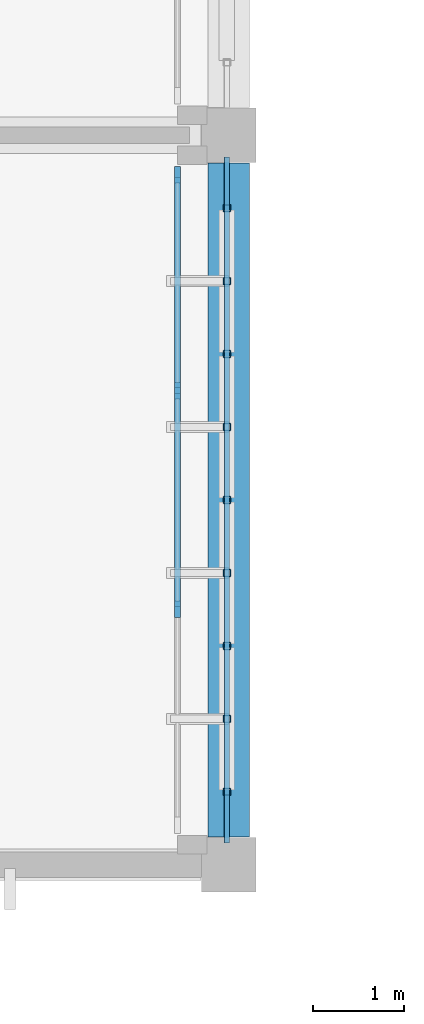
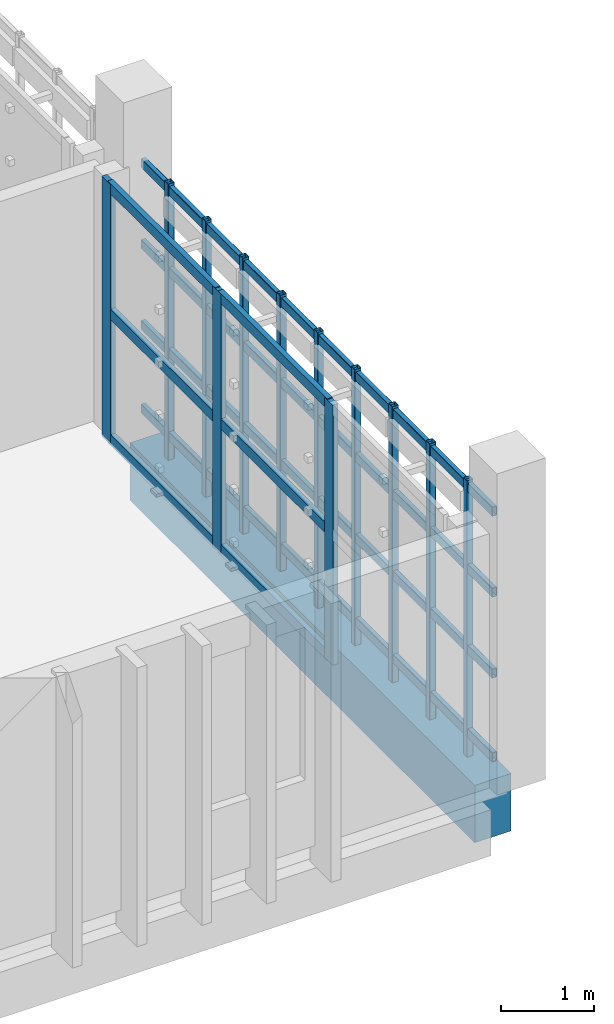
# One storey, part 67 of 137: 22 members, 1 beam, 1 element without a shape of its own.
"""IFC4 building model written with IfcOpenShell, lengths in metres."""

from ifc_helpers import new_model, si_unit, direction, frame, origin, origin_2d, place, context, subcontext, project, spatial, rectangle, hollow_rectangle, extrude, material, layer, layer_set, material_profile, profile_set, type_object, element, aggregate, save


model = new_model("IFC4")

# Units and contexts
model_context = context("Model", 3, precision=1e-05, world=origin(), true_north=direction((0.0, 1.0)))
body_context = subcontext(model_context, "Body", "Model", "MODEL_VIEW")
ifc_project = project(units=[si_unit("LENGTHUNIT", "METRE"), si_unit("AREAUNIT", "SQUARE_METRE"), si_unit("VOLUMEUNIT", "CUBIC_METRE"), si_unit("PLANEANGLEUNIT", "RADIAN"), si_unit("MASSUNIT", "GRAM", prefix="KILO")], contexts=[model_context])

# Site, building, storey
site_placement = place(None, origin())
site = spatial("IfcSite", under=ifc_project, at=site_placement, CompositionType="ELEMENT")
building_placement = place(site_placement, origin())
building = spatial("IfcBuilding", under=site, at=building_placement, Name="Jelvoka-Kovrelna Polytechnic", CompositionType="ELEMENT")
storey_placement = place(building_placement, frame((0.0, 0.0, 9.60009765625)))
storey = spatial("IfcBuildingStorey", under=building, at=storey_placement, Name="L03", CompositionType="ELEMENT", Elevation=9.60009765625)

# Beam
ifc_material_1 = material(Name="Concrete C40/50", Category="concrete")
ifc_material_profile_1 = material_profile(ifc_material_1, rectangle(XDim=0.449951171875, YDim=0.75, at=origin_2d()), Name="RC 450x750")
ifc_profile_set_1 = profile_set([ifc_material_profile_1], Name="Concrete C40/50")
beam_type = type_object("IfcBeamType", Name="Beam_RC_450x750", PredefinedType="BEAM", material=ifc_profile_set_1)
beam_placement = place(storey_placement, frame((192.0, 56.304931640625, -0.64013671875), z_axis=(0.0, 1.0, 0.0), x_axis=(-1.0, 0.0, 0.0)))
element("IfcBeam", 1, at=beam_placement, inside=storey, type_object=beam_type, Name="L03 beam 1086", PredefinedType="BEAM", context=body_context, shape_type="SweptSolid", body=[
    extrude(rectangle(XDim=0.449951171875, YDim=0.75, at=origin_2d()), origin(), (0.0, 0.0, 1.0), 7.39013671875),
])

# Members
ifc_material_2 = material(Name="Structural steel S355J2H", Category="steel")
ifc_material_profile_2 = material_profile(ifc_material_2, hollow_rectangle(XDim=0.06005859375, YDim=0.1201171875, WallThickness=0.0048828125, InnerFilletRadius=0.0048828125, OuterFilletRadius=0.007568359375, at=origin_2d()), Name="120x60x5.0 RHS")
ifc_profile_set_2 = profile_set([ifc_material_profile_2], Name="Structural steel S355J2H")
member_type_1 = type_object("IfcMemberType", Name="Member_Strut_RHS120", PredefinedType="STRUT", material=ifc_profile_set_2)
for number, where, z_axis, x_axis, name in (
    (2, (191.97998046875, 56.239990234375, 0.079833984375), (0.0, 1.0, 0.0), (-1.0, 0.0, 0.0), "L03 terracotta screen horizontal strut 0677"),
    (3, (191.97998046875, 56.239990234375, 1.17138671875), (0.0, 1.0, 0.0), (-1.0, 0.0, 0.0), "L03 terracotta screen horizontal strut 0678"),
    (4, (191.97998046875, 56.239990234375, 2.230712890625), (0.0, 1.0, 0.0), (-1.0, 0.0, 0.0), "L03 terracotta screen horizontal strut 0679"),
    (5, (191.97998046875, 56.239990234375, 3.289794921875), (0.0, 1.0, 0.0), (-1.0, 0.0, 0.0), "L03 terracotta screen horizontal strut 0680"),
):
    element("IfcMember", number, at=place(storey_placement, frame(where, z_axis=z_axis, x_axis=x_axis)), inside=storey, type_object=member_type_1, Name=name, PredefinedType="STRUT", context=body_context, shape_type="SweptSolid", body=[
        extrude(hollow_rectangle(XDim=0.06005859375, YDim=0.1201171875, WallThickness=0.0048828125, InnerFilletRadius=0.0048828125, OuterFilletRadius=0.007568359375, at=origin_2d()), origin(), (0.0, 0.0, 1.0), 7.52001953125),
    ])
ifc_material_3 = material(Name="Structural steel S355J2H", Category="steel")
ifc_material_profile_3 = material_profile(ifc_material_3, hollow_rectangle(XDim=0.080078125, YDim=0.080078125, WallThickness=0.0048828125, InnerFilletRadius=0.0048828125, OuterFilletRadius=0.007568359375, at=origin_2d()), Name="80x80x5.0 SHS")
ifc_profile_set_3 = profile_set([ifc_material_profile_3], Name="Structural steel S355J2H")
member_type_2 = type_object("IfcMemberType", Name="Member_Strut_SHS80", PredefinedType="STRUT", material=ifc_profile_set_3)
for number, where, z_axis, x_axis, name in (
    (6, (191.97998046875, 56.800048828125, -0.22998046875), (0.0, 0.0, 1.0), (1.0, 0.0, 0.0), "L03 terracotta lattice vertical rib 0681"),
    (7, (191.97998046875, 57.60009765625, -0.22998046875), (0.0, 0.0, 1.0), (1.0, 0.0, 0.0), "L03 terracotta lattice vertical rib 0682"),
    (8, (191.97998046875, 58.39990234375, -0.22998046875), (0.0, 0.0, 1.0), (1.0, 0.0, 0.0), "L03 terracotta lattice vertical rib 0683"),
    (9, (191.97998046875, 59.199951171875, -0.22998046875), (0.0, 0.0, 1.0), (1.0, 0.0, 0.0), "L03 terracotta lattice vertical rib 0684"),
    (10, (191.97998046875, 60.0, -0.22998046875), (0.0, 0.0, 1.0), (1.0, 0.0, 0.0), "L03 terracotta lattice vertical rib 0685"),
    (11, (191.97998046875, 60.800048828125, -0.22998046875), (0.0, 0.0, 1.0), (1.0, 0.0, 0.0), "L03 terracotta lattice vertical rib 0686"),
    (12, (191.97998046875, 61.60009765625, -0.22998046875), (0.0, 0.0, 1.0), (1.0, 0.0, 0.0), "L03 terracotta lattice vertical rib 0687"),
    (13, (191.97998046875, 62.39990234375, -0.22998046875), (0.0, 0.0, 1.0), (1.0, 0.0, 0.0), "L03 terracotta lattice vertical rib 0688"),
    (14, (191.97998046875, 63.199951171875, -0.22998046875), (0.0, 0.0, 1.0), (1.0, 0.0, 0.0), "L03 terracotta lattice vertical rib 0689"),
):
    element("IfcMember", number, at=place(storey_placement, frame(where, z_axis=z_axis, x_axis=x_axis)), inside=storey, type_object=member_type_2, Name=name, PredefinedType="STRUT", context=body_context, shape_type="SweptSolid", body=[
        extrude(hollow_rectangle(XDim=0.080078125, YDim=0.080078125, WallThickness=0.0048828125, InnerFilletRadius=0.0048828125, OuterFilletRadius=0.007568359375, at=origin_2d()), origin(), (0.0, 0.0, 1.0), 3.60986328125),
    ])

# Curtain wall, members
ifc_material_4 = material(Name="Anodised aluminium 6063-T6", Category="aluminium")
ifc_layer = layer(ifc_material_4, 0.179931640625)
ifc_layer_set = layer_set([ifc_layer], Name="Anodised aluminium 6063-T6")
curtain_wall_type = type_object("IfcCurtainWallType", Name="CW_Recessed_B", PredefinedType="NOTDEFINED", material=ifc_layer_set)
curtain_wall_placement = place(storey_placement, origin())
curtain_wall = element("IfcCurtainWall", 15, at=curtain_wall_placement, inside=storey, type_object=curtain_wall_type, Name="L03 glazed curtain wall 085", PredefinedType="NOTDEFINED")
ifc_material_5 = material(Name="Anodised aluminium 6063-T6", Category="aluminium")
ifc_material_profile_4 = material_profile(ifc_material_5, rectangle(XDim=0.06494140625, YDim=0.179931640625, at=origin_2d()), Name="ALU 65x180")
ifc_profile_set_4 = profile_set([ifc_material_profile_4], Name="Anodised aluminium 6063-T6")
member_type_3 = type_object("IfcMemberType", Name="Mullion_M-02", PredefinedType="MULLION", material=ifc_profile_set_4)
member_1_placement = place(storey_placement, frame((191.43994140625, 63.5673828125, -0.02490234375), z_axis=(0.0, 0.0, 1.0), x_axis=(1.0, 0.0, 0.0)))
member_1 = element("IfcMember", 16, at=member_1_placement, type_object=member_type_3, Name="CW-02 mullion 1", PredefinedType="MULLION", context=body_context, shape_type="SweptSolid", body=[
    extrude(rectangle(XDim=0.06494140625, YDim=0.179931640625, at=origin_2d()), origin(), (0.0, 0.0, 1.0), 3.39990234375),
])
member_2_placement = place(storey_placement, frame((191.43994140625, 61.199951171875, -0.02490234375), z_axis=(0.0, 0.0, 1.0), x_axis=(1.0, 0.0, 0.0)))
member_2 = element("IfcMember", 17, at=member_2_placement, type_object=member_type_3, Name="CW-02 mullion 2", PredefinedType="MULLION", context=body_context, shape_type="SweptSolid", body=[
    extrude(rectangle(XDim=0.06494140625, YDim=0.179931640625, at=origin_2d()), origin(), (0.0, 0.0, 1.0), 3.39990234375),
])
member_3_placement = place(storey_placement, frame((191.43994140625, 58.800048828125, -0.02490234375), z_axis=(0.0, 0.0, 1.0), x_axis=(1.0, 0.0, 0.0)))
member_3 = element("IfcMember", 18, at=member_3_placement, type_object=member_type_3, Name="CW-02 mullion 3", PredefinedType="MULLION", context=body_context, shape_type="SweptSolid", body=[
    extrude(rectangle(XDim=0.06494140625, YDim=0.179931640625, at=origin_2d()), origin(), (0.0, 0.0, 1.0), 3.39990234375),
])
ifc_material_6 = material(Name="Anodised aluminium 6063-T6", Category="aluminium")
ifc_material_profile_5 = material_profile(ifc_material_6, rectangle(XDim=0.06494140625, YDim=0.135009765625, at=origin_2d()), Name="ALU 65x135")
ifc_profile_set_5 = profile_set([ifc_material_profile_5], Name="Anodised aluminium 6063-T6")
member_type_4 = type_object("IfcMemberType", Name="Transom_T-02", PredefinedType="USERDEFINED", material=ifc_profile_set_5)
member_4_placement = place(storey_placement, frame((191.43994140625, 63.534912109375, 0.032470703125), z_axis=(0.0, -1.0, 0.0), x_axis=(1.0, 0.0, 0.0)))
member_4 = element("IfcMember", 19, at=member_4_placement, type_object=member_type_4, Name="CW-02 transom 1.1", ObjectType="TRANSOM", PredefinedType="USERDEFINED", context=body_context, shape_type="SweptSolid", body=[
    extrude(rectangle(XDim=0.06494140625, YDim=0.135009765625, at=origin_2d()), origin(), (0.0, 0.0, 1.0), 2.302490234375),
])
member_5_placement = place(storey_placement, frame((191.43994140625, 63.534912109375, 1.6748046875), z_axis=(0.0, -1.0, 0.0), x_axis=(1.0, 0.0, 0.0)))
member_5 = element("IfcMember", 20, at=member_5_placement, type_object=member_type_4, Name="CW-02 transom 1.2", ObjectType="TRANSOM", PredefinedType="USERDEFINED", context=body_context, shape_type="SweptSolid", body=[
    extrude(rectangle(XDim=0.06494140625, YDim=0.135009765625, at=origin_2d()), origin(), (0.0, 0.0, 1.0), 2.302490234375),
])
member_6_placement = place(storey_placement, frame((191.43994140625, 63.534912109375, 3.3173828125), z_axis=(0.0, -1.0, 0.0), x_axis=(1.0, 0.0, 0.0)))
member_6 = element("IfcMember", 21, at=member_6_placement, type_object=member_type_4, Name="CW-02 transom 1.3", ObjectType="TRANSOM", PredefinedType="USERDEFINED", context=body_context, shape_type="SweptSolid", body=[
    extrude(rectangle(XDim=0.06494140625, YDim=0.135009765625, at=origin_2d()), origin(), (0.0, 0.0, 1.0), 2.302490234375),
])
member_7_placement = place(storey_placement, frame((191.43994140625, 61.16748046875, 0.032470703125), z_axis=(0.0, -1.0, 0.0), x_axis=(1.0, 0.0, 0.0)))
member_7 = element("IfcMember", 22, at=member_7_placement, type_object=member_type_4, Name="CW-02 transom 2.1", ObjectType="TRANSOM", PredefinedType="USERDEFINED", context=body_context, shape_type="SweptSolid", body=[
    extrude(rectangle(XDim=0.06494140625, YDim=0.135009765625, at=origin_2d()), origin(), (0.0, 0.0, 1.0), 2.3349609375),
])
member_8_placement = place(storey_placement, frame((191.43994140625, 61.16748046875, 1.6748046875), z_axis=(0.0, -1.0, 0.0), x_axis=(1.0, 0.0, 0.0)))
member_8 = element("IfcMember", 23, at=member_8_placement, type_object=member_type_4, Name="CW-02 transom 2.2", ObjectType="TRANSOM", PredefinedType="USERDEFINED", context=body_context, shape_type="SweptSolid", body=[
    extrude(rectangle(XDim=0.06494140625, YDim=0.135009765625, at=origin_2d()), origin(), (0.0, 0.0, 1.0), 2.3349609375),
])
member_9_placement = place(storey_placement, frame((191.43994140625, 61.16748046875, 3.3173828125), z_axis=(0.0, -1.0, 0.0), x_axis=(1.0, 0.0, 0.0)))
member_9 = element("IfcMember", 24, at=member_9_placement, type_object=member_type_4, Name="CW-02 transom 2.3", ObjectType="TRANSOM", PredefinedType="USERDEFINED", context=body_context, shape_type="SweptSolid", body=[
    extrude(rectangle(XDim=0.06494140625, YDim=0.135009765625, at=origin_2d()), origin(), (0.0, 0.0, 1.0), 2.3349609375),
])
aggregate(curtain_wall, [member_1, member_2, member_3, member_4, member_5, member_6, member_7, member_8, member_9])

save(model, "model.ifc")
